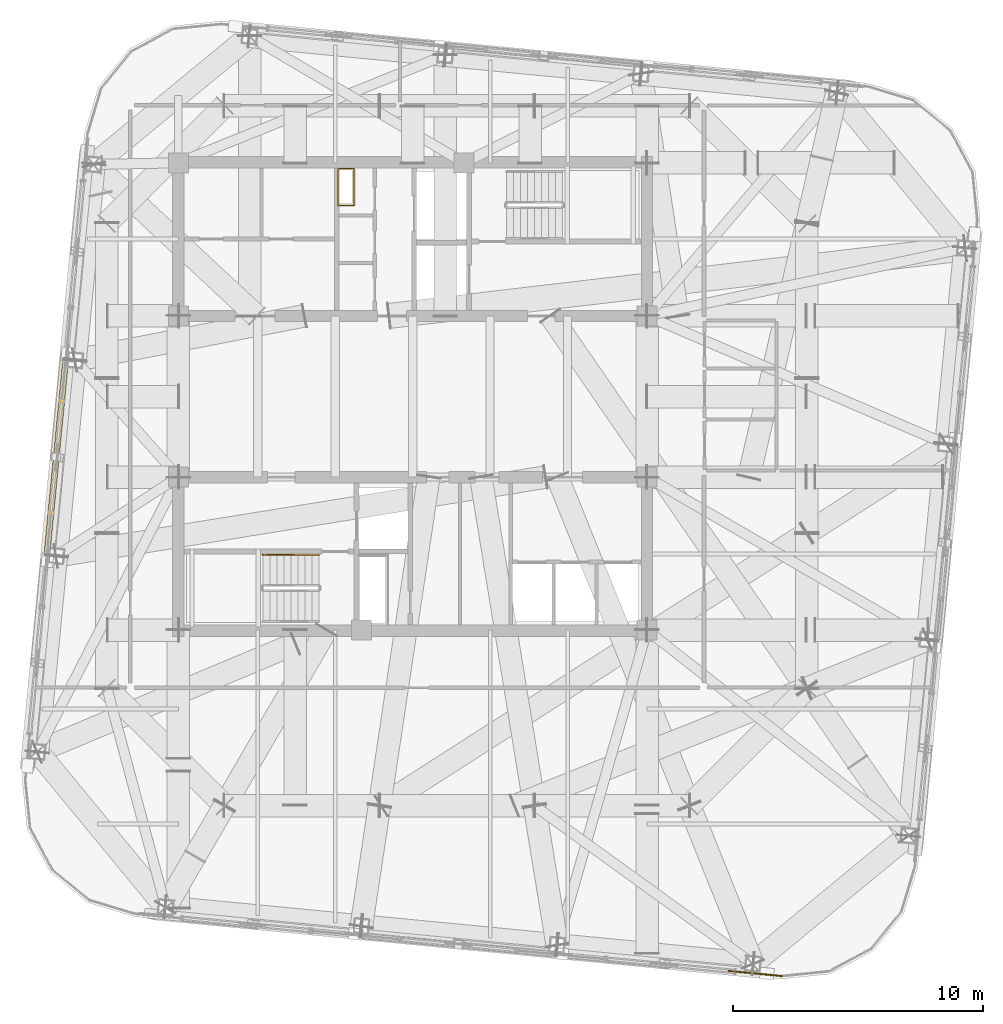
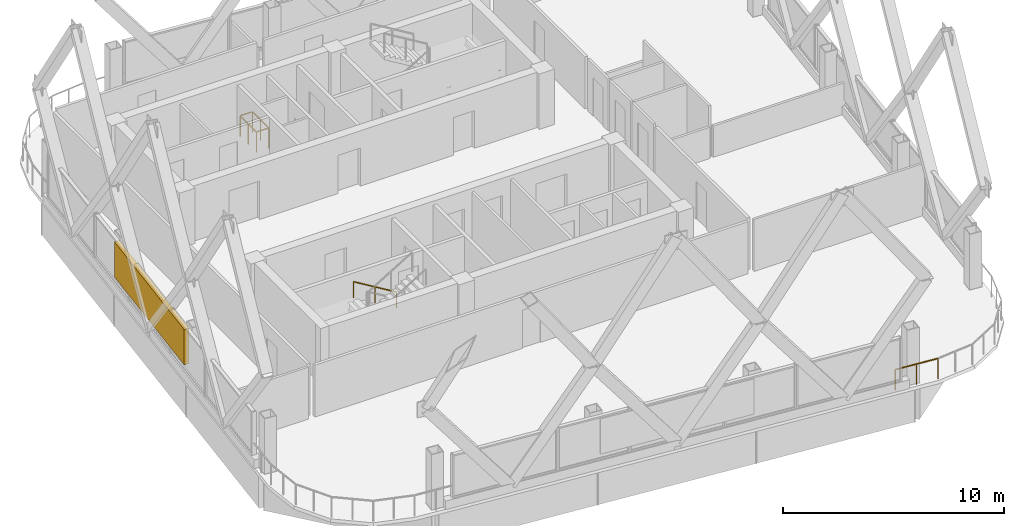
# One storey, part 29 of 31: 3 railings, 1 shading device.
"""IFC4 building model written with IfcOpenShell, lengths in metres."""

from ifc_helpers import new_model, si_unit, direction, frame, origin, origin_2d, place, context, subcontext, project, spatial, rectangle, extrude, material, type_object, element, save


model = new_model("IFC4")

# Units and contexts
model_context = context("Model", 3, precision=1e-05, world=origin(), true_north=direction((0.0, 1.0)))
body_context = subcontext(model_context, "Body", "Model", "MODEL_VIEW")
ifc_project = project(units=[si_unit("LENGTHUNIT", "METRE"), si_unit("AREAUNIT", "SQUARE_METRE"), si_unit("VOLUMEUNIT", "CUBIC_METRE"), si_unit("PLANEANGLEUNIT", "RADIAN"), si_unit("MASSUNIT", "GRAM", prefix="KILO")], contexts=[model_context])

# Site, building, storey
site_placement = place(None, origin())
site = spatial("IfcSite", under=ifc_project, at=site_placement, CompositionType="ELEMENT")
building_placement = place(site_placement, origin())
building = spatial("IfcBuilding", under=site, at=building_placement, Name="Qhalaya Broadcast Tower", CompositionType="ELEMENT")
storey_placement = place(building_placement, frame((0.0, 0.0, 242.85009765625)))
storey = spatial("IfcBuildingStorey", under=building, at=storey_placement, Name="L71", CompositionType="ELEMENT", Elevation=242.85009765625)

# Railings
ifc_material_1 = material(Name="Powder-Coated Galvanised Steel", Category="steel")
railing_type_1 = type_object("IfcRailingType", Name="Stair Wall Handrail 900", PredefinedType="HANDRAIL", material=ifc_material_1)
railing_1_placement = place(storey_placement, frame((-3.75, -5.72998046875, 0.16943359375)))
element("IfcRailing", 1, at=railing_1_placement, inside=storey, type_object=railing_type_1, Name="L71 ST-2 Stair Handrail 1", PredefinedType="HANDRAIL", context=body_context, shape_type="SweptSolid", body=[
    extrude(rectangle(XDim=0.048095703125, YDim=0.048095703125, at=origin_2d()), frame((0.0, 0.0, 0.8759765625), z_axis=(-0.855553338991, 0.0, 0.51771467445), x_axis=(0.0, -1.0, 0.0)), (0.0, 0.0, 1.0), 2.6181640625),
    extrude(rectangle(XDim=0.0419921875, YDim=0.0419921875, at=origin_2d()), origin(), (0.0, 0.0, 1.0), 0.849853515625),
    extrude(rectangle(XDim=0.0419921875, YDim=0.0419921875, at=origin_2d()), frame((-1.1201171875, 0.0, 0.677734375)), (0.0, 0.0, 1.0), 0.849853515625),
    extrude(rectangle(XDim=0.0419921875, YDim=0.0419921875, at=origin_2d()), frame((-2.239990234375, 0.0, 1.35546875)), (0.0, 0.0, 1.0), 0.849853515625),
])
railing_type_2 = type_object("IfcRailingType", Name="Stair Well & Landing Guardrail 1100", PredefinedType="GUARDRAIL", material=ifc_material_1)
railing_2_placement = place(storey_placement, frame((-2.340087890625, 8.239990234375, 0.0)))
element("IfcRailing", 2, at=railing_2_placement, inside=storey, type_object=railing_type_2, Name="L71 Service Riser Opening Safety Guard NRSR", PredefinedType="GUARDRAIL", context=body_context, shape_type="SweptSolid", body=[
    extrude(rectangle(XDim=0.048095703125, YDim=0.048095703125, at=origin_2d()), frame((0.0, 0.02880859375, 1.1259765625), z_axis=(0.0, 1.0, 0.0), x_axis=(-1.0, 0.0, 0.0)), (0.0, 0.0, 1.0), 1.42236328125),
    extrude(rectangle(XDim=0.048095703125, YDim=0.048095703125, at=origin_2d()), frame((-0.02880859375, 1.47998046875, 1.1259765625), z_axis=(-1.0, 0.0, 0.0), x_axis=(0.0, -1.0, 0.0)), (0.0, 0.0, 1.0), 0.582275390625),
    extrude(rectangle(XDim=0.048095703125, YDim=0.048095703125, at=origin_2d()), frame((-0.639892578125, 1.451171875, 1.1259765625), z_axis=(0.0, -1.0, 0.0), x_axis=(1.0, 0.0, 0.0)), (0.0, 0.0, 1.0), 1.42236328125),
    extrude(rectangle(XDim=0.048095703125, YDim=0.048095703125, at=origin_2d()), frame((-0.611083984375, 0.0, 1.1259765625), z_axis=(1.0, 0.0, 0.0), x_axis=(0.0, 1.0, 0.0)), (0.0, 0.0, 1.0), 0.582275390625),
    extrude(rectangle(XDim=0.0419921875, YDim=0.0419921875, at=origin_2d()), origin(), (0.0, 0.0, 1.0), 1.099853515625),
    extrude(rectangle(XDim=0.0419921875, YDim=0.0419921875, at=origin_2d()), frame((0.0, 0.739990234375, 0.0)), (0.0, 0.0, 1.0), 1.099853515625),
    extrude(rectangle(XDim=0.0419921875, YDim=0.0419921875, at=origin_2d()), frame((0.0, 1.47998046875, 0.0)), (0.0, 0.0, 1.0), 1.099853515625),
    extrude(rectangle(XDim=0.0419921875, YDim=0.0419921875, at=origin_2d()), frame((-0.639892578125, 1.47998046875, 0.0)), (0.0, 0.0, 1.0), 1.099853515625),
    extrude(rectangle(XDim=0.0419921875, YDim=0.0419921875, at=origin_2d()), frame((-0.639892578125, 0.739990234375, 0.0)), (0.0, 0.0, 1.0), 1.099853515625),
    extrude(rectangle(XDim=0.0419921875, YDim=0.0419921875, at=origin_2d()), frame((-0.639892578125, 0.0, 0.0)), (0.0, 0.0, 1.0), 1.099853515625),
])
railing_type_3 = type_object("IfcRailingType", Name="Terrace, Sky-Pool & Lookout Glass Balustrade 1150", PredefinedType="BALUSTRADE", material=ifc_material_1)
railing_3_placement = place(storey_placement, frame((14.754638671875, -22.58251953125, 0.0)))
element("IfcRailing", 3, at=railing_3_placement, inside=storey, type_object=railing_type_3, Name="L71 Rounded Corner Perimeter Guard 01", PredefinedType="BALUSTRADE", context=body_context, shape_type="SweptSolid", body=[
    extrude(rectangle(XDim=0.048095703125, YDim=0.048095703125, at=origin_2d()), frame((0.0, 0.0, 1.1259765625), z_axis=(-0.995391273094, 0.095896889673, 0.0), x_axis=(-0.095896889673, -0.995391273094, 0.0)), (0.0, 0.0, 1.0), 2.1181640625),
    extrude(rectangle(XDim=0.0419921875, YDim=0.0419921875, at=origin_2d()), origin(), (0.0, 0.0, 1.0), 1.099853515625),
    extrude(rectangle(XDim=0.0419921875, YDim=0.0419921875, at=origin_2d()), frame((-1.05419921875, 0.1015625, 0.0)), (0.0, 0.0, 1.0), 1.099853515625),
    extrude(rectangle(XDim=0.0419921875, YDim=0.0419921875, at=origin_2d()), frame((-2.1083984375, 0.203125, 0.0)), (0.0, 0.0, 1.0), 1.099853515625),
])

# Shading device
ifc_material_2 = material(Name="Fired Architectural Terracotta", Category="masonry")
shading_device_type = type_object("IfcShadingDeviceType", Name="Terracotta Baguette Solar Screen Assembly TBS-01", PredefinedType="USERDEFINED", material=ifc_material_2)
shading_device_placement = place(storey_placement, frame((-14.2578125, -1.826171875, 0.80078125), z_axis=(0.0, 0.0, 1.0), x_axis=(-0.09584575252, -0.995396198367, 0.0)))
element("IfcShadingDevice", 4, at=shading_device_placement, inside=storey, type_object=shading_device_type, Name="L71 Fired Terracotta Baguette Screen W", ObjectType="BAGUETTE", PredefinedType="USERDEFINED", context=body_context, shape_type="SweptSolid", body=[
    extrude(rectangle(XDim=7.60009765625, YDim=0.239990234375, at=origin_2d()), origin(), (0.0, 0.0, 1.0), 1.945068359375),
])

save(model, "model.ifc")
